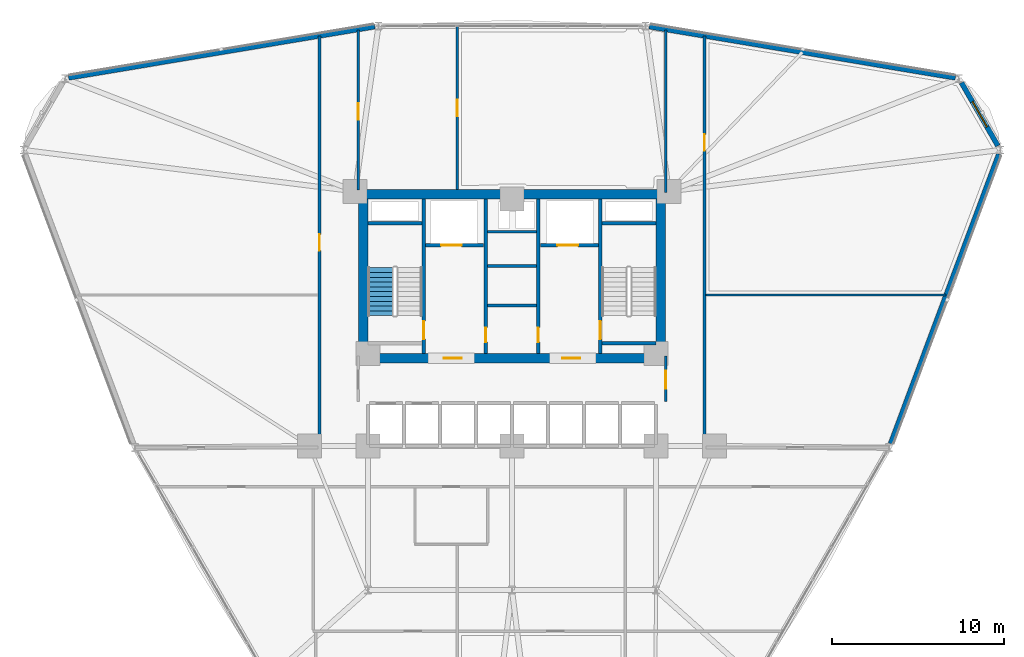
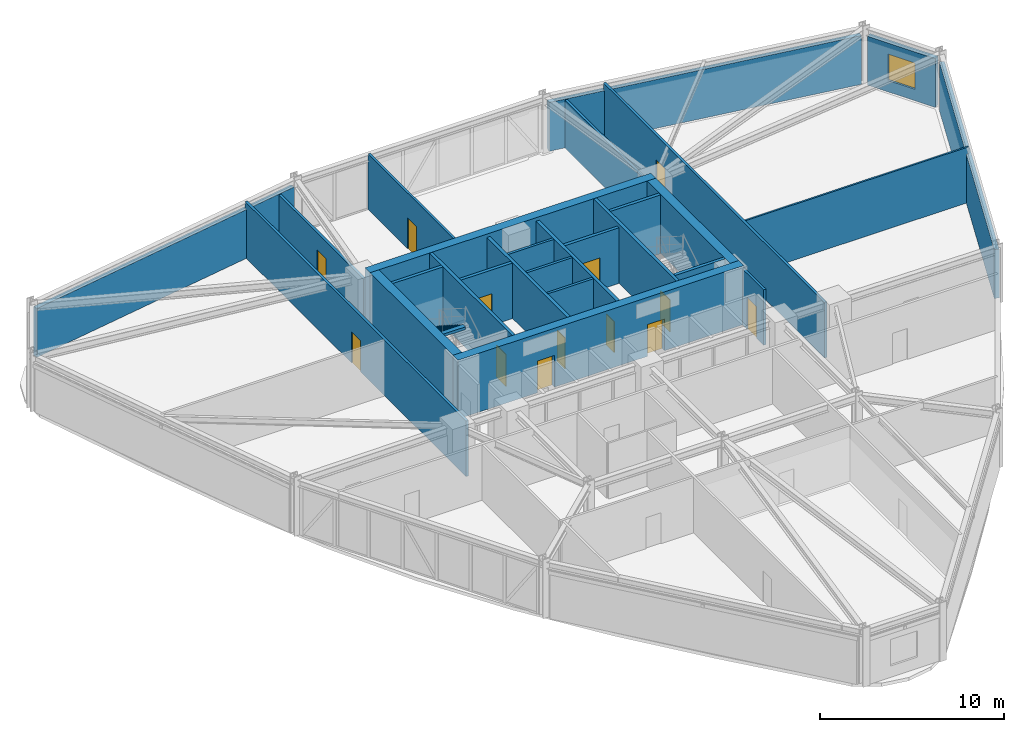
# One storey, part 17 of 22: 27 walls, 13 doors, 1 stair flight, 1 window, 14 openings, 1 element without a shape of its own.
"""IFC4 building model written with IfcOpenShell, lengths in metres."""

from ifc_helpers import new_model, si_unit, derived_unit, direction, frame, frame_2d, origin, place, context, subcontext, project, spatial, polyline, rectangle, outline, extrude, material, layer, layer_set, type_object, element, fill, aggregate, save


model = new_model("IFC4")

# Units and contexts
model_context = context("Model", 3, precision=1e-05, world=origin(), true_north=direction((0.0, 1.0)))
body_context = subcontext(model_context, "Body", "Model", "MODEL_VIEW")
ifc_project = project(units=[si_unit("LENGTHUNIT", "METRE"), si_unit("AREAUNIT", "SQUARE_METRE"), si_unit("VOLUMEUNIT", "CUBIC_METRE"), si_unit("PLANEANGLEUNIT", "RADIAN"), si_unit("MASSUNIT", "GRAM", prefix="KILO"), derived_unit("THERMALTRANSMITTANCEUNIT", [(si_unit("POWERUNIT", "WATT"), 1), (si_unit("LENGTHUNIT", "METRE"), -2), (si_unit("THERMODYNAMICTEMPERATUREUNIT", "KELVIN"), -1)])], contexts=[model_context])

# Site, building, storey
site_placement = place(None, origin())
site = spatial("IfcSite", under=ifc_project, at=site_placement, CompositionType="ELEMENT")
building_placement = place(site_placement, origin())
building = spatial("IfcBuilding", under=site, at=building_placement, Name="Korsvarv Bourse and Concert Hall", CompositionType="ELEMENT")
storey_placement = place(building_placement, frame((0.0, 0.0, 51.300048828125)))
storey = spatial("IfcBuildingStorey", under=building, at=storey_placement, Name="L12", CompositionType="ELEMENT", Elevation=51.300048828125)

# Wall, opening, door
ifc_material_1 = material(Name="Concrete C50/60", Category="concrete")
ifc_layer_1 = layer(ifc_material_1, 0.3798828125)
ifc_layer_set_1 = layer_set([ifc_layer_1], Name="Concrete C50/60")
wall_type_1 = type_object("IfcWallType", Name="WL-CORE-380", PredefinedType="SHEAR", material=ifc_layer_set_1)
wall_1_placement = place(storey_placement, frame((30.860107421875, 37.81005859375, 0.0), z_axis=(0.0, 0.0, 1.0), x_axis=(0.0, 1.0, 0.0)))
wall_1 = element("IfcWall", 1, at=wall_1_placement, inside=storey, type_object=wall_type_1, Name="L12 stair shaft structural wall W-L12-ST1-E", PredefinedType="SHEAR", context=body_context, shape_type="SweptSolid", body=[
    extrude(rectangle(XDim=8.97998046875, YDim=0.199951171875, at=frame_2d((4.489990234375, 0.0))), origin(), (0.0, 0.0, 1.0), 3.89990234375),
])
opening_1_placement = place(wall_1_placement, frame((0.820068359375, 0.0, 0.0)))
opening_1 = element("IfcOpeningElement", 2, at=opening_1_placement, cuts=wall_1, Name="Opening D-01", PredefinedType="OPENING", context=body_context, shape_type="SweptSolid", body=[
    extrude(rectangle(XDim=1.050048828125, YDim=2.10009765625, at=frame_2d((0.52490234375, 1.050048828125))), frame((0.0, 0.10986328125, 0.0), z_axis=(0.0, -1.0, 0.0), x_axis=(1.0, 0.0, 0.0)), (0.0, 0.0, 1.0), 0.219970703125),
])
ifc_material_2 = material(Name="Steel S355 fire door", Category="steel")
door_type_1 = type_object("IfcDoorType", Name="DR-FD60", OperationType="NOTDEFINED", PredefinedType="DOOR", material=ifc_material_2)
door_1_placement = place(opening_1_placement, origin())
door_1 = element("IfcDoor", 3, at=door_1_placement, inside=storey, type_object=door_type_1, Name="L12 interior door DR-L12-ST1", OperationType="SINGLE_SWING_RIGHT", OverallHeight=2.10009765625, OverallWidth=1.050048828125, PredefinedType="DOOR", context=body_context, shape_type="SweptSolid", body=[
    extrude(rectangle(XDim=1.050048828125, YDim=2.10009765625, at=frame_2d((0.52490234375, 1.050048828125))), frame((0.0, 0.02490234375, 0.0), z_axis=(0.0, -1.0, 0.0), x_axis=(1.0, 0.0, 0.0)), (0.0, 0.0, 1.0), 0.050048828125),
])
fill(opening_1, door_1)

# Wall
wall_2_placement = place(storey_placement, frame((27.610107421875, 45.39990234375, 0.0), z_axis=(0.0, 0.0, 1.0), x_axis=(1.0, 0.0, 0.0)))
element("IfcWall", 4, at=wall_2_placement, inside=storey, type_object=wall_type_1, Name="L12 stair shaft structural wall W-L12-ST1-N", PredefinedType="SHEAR", context=body_context, shape_type="SweptSolid", body=[
    extrude(rectangle(XDim=3.139892578125, YDim=0.199951171875, at=frame_2d((1.56982421875, 0.0))), origin(), (0.0, 0.0, 1.0), 3.89990234375),
])

# Wall, opening, door
wall_3_placement = place(storey_placement, frame((41.139892578125, 37.81005859375, 0.0), z_axis=(0.0, 0.0, 1.0), x_axis=(0.0, 1.0, 0.0)))
wall_3 = element("IfcWall", 5, at=wall_3_placement, inside=storey, type_object=wall_type_1, Name="L12 stair shaft structural wall W-L12-ST2-W", PredefinedType="SHEAR", context=body_context, shape_type="SweptSolid", body=[
    extrude(rectangle(XDim=8.97998046875, YDim=0.199951171875, at=frame_2d((4.489990234375, 0.0))), origin(), (0.0, 0.0, 1.0), 3.89990234375),
])
opening_2_placement = place(wall_3_placement, frame((0.820068359375, 0.0, 0.0)))
opening_2 = element("IfcOpeningElement", 6, at=opening_2_placement, cuts=wall_3, Name="Opening D-01", PredefinedType="OPENING", context=body_context, shape_type="SweptSolid", body=[
    extrude(rectangle(XDim=1.050048828125, YDim=2.10009765625, at=frame_2d((0.52490234375, 1.050048828125))), frame((0.0, 0.10986328125, 0.0), z_axis=(0.0, -1.0, 0.0), x_axis=(1.0, 0.0, 0.0)), (0.0, 0.0, 1.0), 0.219970703125),
])
door_2_placement = place(opening_2_placement, frame((1.050048828125, 0.0, 0.0), z_axis=(0.0, 0.0, 1.0), x_axis=(-1.0, 0.0, 0.0)))
door_2 = element("IfcDoor", 7, at=door_2_placement, inside=storey, type_object=door_type_1, Name="L12 interior door DR-L12-ST2", OperationType="SINGLE_SWING_LEFT", OverallHeight=2.10009765625, OverallWidth=1.050048828125, PredefinedType="DOOR", context=body_context, shape_type="SweptSolid", body=[
    extrude(rectangle(XDim=1.050048828125, YDim=2.10009765625, at=frame_2d((0.52490234375, 1.050048828125))), frame((0.0, 0.02490234375, 0.0), z_axis=(0.0, -1.0, 0.0), x_axis=(1.0, 0.0, 0.0)), (0.0, 0.0, 1.0), 0.050048828125),
])
fill(opening_2, door_2)

# Walls
for number, where, z_axis, x_axis, name in (
    (8, (41.25, 45.39990234375, 0.0), (0.0, 0.0, 1.0), (1.0, 0.0, 0.0), "L12 stair shaft structural wall W-L12-ST2-N"),
    (9, (41.25, 38.39990234375, 0.0), (0.0, 0.0, 1.0), (1.0, 0.0, 0.0), "L12 stair shaft structural wall W-L12-ST2-S"),
):
    element("IfcWall", number, at=place(storey_placement, frame(where, z_axis=z_axis, x_axis=x_axis)), inside=storey, type_object=wall_type_1, Name=name, PredefinedType="SHEAR", context=body_context, shape_type="SweptSolid", body=[
        extrude(rectangle(XDim=3.139892578125, YDim=0.199951171875, at=frame_2d((1.56982421875, 0.0))), origin(), (0.0, 0.0, 1.0), 3.89990234375),
    ])
ifc_material_3 = material(Name="Concrete C60/75", Category="concrete")
ifc_layer_2 = layer(ifc_material_3, 0.550048828125)
ifc_layer_set_2 = layer_set([ifc_layer_2], Name="Concrete C60/75")
wall_type_2 = type_object("IfcWallType", Name="WL-CORE-550", PredefinedType="SHEAR", material=ifc_layer_set_2)
wall_4_placement = place(storey_placement, frame((27.050048828125, 47.074951171875, 0.0), z_axis=(0.0, 0.0, 1.0), x_axis=(1.0, 0.0, 0.0)))
element("IfcWall", 10, at=wall_4_placement, inside=storey, type_object=wall_type_2, Name="L12 North Core Shear Wall", PredefinedType="SHEAR", context=body_context, shape_type="SweptSolid", body=[
    extrude(rectangle(XDim=17.89990234375, YDim=0.550048828125, at=frame_2d((8.949951171875, 0.0))), origin(), (0.0, 0.0, 1.0), 3.89990234375),
])

# Wall, openings, doors
wall_5_placement = place(storey_placement, frame((27.050048828125, 37.52490234375, 0.0), z_axis=(0.0, 0.0, 1.0), x_axis=(1.0, 0.0, 0.0)))
wall_5 = element("IfcWall", 11, at=wall_5_placement, inside=storey, type_object=wall_type_2, Name="L12 South Core Shear Wall", PredefinedType="SHEAR", context=body_context, shape_type="SweptSolid", body=[
    extrude(rectangle(XDim=17.89990234375, YDim=0.550048828125, at=frame_2d((8.949951171875, 0.0))), origin(), (0.0, 0.0, 1.0), 3.89990234375),
])
opening_3_placement = place(wall_5_placement, frame((4.97509765625, 0.0, 0.0)))
opening_3 = element("IfcOpeningElement", 12, at=opening_3_placement, cuts=wall_5, Name="Opening D-01", PredefinedType="OPENING", context=body_context, shape_type="SweptSolid", body=[
    extrude(rectangle(XDim=1.050048828125, YDim=2.10009765625, at=frame_2d((0.52490234375, 1.050048828125))), frame((0.0, 0.28515625, 0.0), z_axis=(0.0, -1.0, 0.0), x_axis=(1.0, 0.0, 0.0)), (0.0, 0.0, 1.0), 0.570068359375),
])
opening_4_placement = place(wall_5_placement, frame((11.875, 0.0, 0.0)))
opening_4 = element("IfcOpeningElement", 13, at=opening_4_placement, cuts=wall_5, Name="Opening D-01", PredefinedType="OPENING", context=body_context, shape_type="SweptSolid", body=[
    extrude(rectangle(XDim=1.050048828125, YDim=2.10009765625, at=frame_2d((0.52490234375, 1.050048828125))), frame((0.0, 0.28515625, 0.0), z_axis=(0.0, -1.0, 0.0), x_axis=(1.0, 0.0, 0.0)), (0.0, 0.0, 1.0), 0.570068359375),
])
door_3_placement = place(opening_3_placement, frame((1.050048828125, 0.0, 0.0), z_axis=(0.0, 0.0, 1.0), x_axis=(-1.0, 0.0, 0.0)))
door_3 = element("IfcDoor", 14, at=door_3_placement, inside=storey, type_object=door_type_1, Name="L12 firefighting lobby fire door DR-L12-FFLW", OperationType="SINGLE_SWING_RIGHT", OverallHeight=2.10009765625, OverallWidth=1.050048828125, PredefinedType="DOOR", context=body_context, shape_type="SweptSolid", body=[
    extrude(rectangle(XDim=1.050048828125, YDim=2.10009765625, at=frame_2d((0.52490234375, 1.050048828125))), frame((0.0, 0.02490234375, 0.0), z_axis=(0.0, -1.0, 0.0), x_axis=(1.0, 0.0, 0.0)), (0.0, 0.0, 1.0), 0.050048828125),
])
fill(opening_3, door_3)
door_4_placement = place(opening_4_placement, frame((1.050048828125, 0.0, 0.0), z_axis=(0.0, 0.0, 1.0), x_axis=(-1.0, 0.0, 0.0)))
door_4 = element("IfcDoor", 15, at=door_4_placement, inside=storey, type_object=door_type_1, Name="L12 firefighting lobby fire door DR-L12-FFLE", OperationType="SINGLE_SWING_LEFT", OverallHeight=2.10009765625, OverallWidth=1.050048828125, PredefinedType="DOOR", context=body_context, shape_type="SweptSolid", body=[
    extrude(rectangle(XDim=1.050048828125, YDim=2.10009765625, at=frame_2d((0.52490234375, 1.050048828125))), frame((0.0, 0.02490234375, 0.0), z_axis=(0.0, -1.0, 0.0), x_axis=(1.0, 0.0, 0.0)), (0.0, 0.0, 1.0), 0.050048828125),
])
fill(opening_4, door_4)

# Walls
for number, where, z_axis, x_axis, name in (
    (16, (27.324951171875, 37.800048828125, 0.0), (0.0, 0.0, 1.0), (0.0, 1.0, 0.0), "L12 West Core Shear Wall"),
    (17, (44.675048828125, 37.800048828125, 0.0), (0.0, 0.0, 1.0), (0.0, 1.0, 0.0), "L12 East Core Shear Wall"),
):
    element("IfcWall", number, at=place(storey_placement, frame(where, z_axis=z_axis, x_axis=x_axis)), inside=storey, type_object=wall_type_2, Name=name, PredefinedType="SHEAR", context=body_context, shape_type="SweptSolid", body=[
        extrude(rectangle(XDim=9.0, YDim=0.550048828125, at=frame_2d((4.5, 0.0))), origin(), (0.0, 0.0, 1.0), 3.89990234375),
    ])

# Wall, opening, window
ifc_material_4 = material(Name="Precast concrete C45/55 with terracotta rainscreen", Category="concrete")
ifc_layer_3 = layer(ifc_material_4, 0.300048828125)
ifc_layer_set_3 = layer_set([ifc_layer_3], Name="Precast concrete C45/55 with terracotta rainscreen")
wall_type_3 = type_object("IfcWallType", Name="WL-EXT-TC1", PredefinedType="SOLIDWALL", material=ifc_layer_set_3)
wall_6_placement = place(storey_placement, frame((64.3349609375, 49.904296875, 0.0), z_axis=(0.0, 0.0, 1.0), x_axis=(-0.500017365573, 0.866015377534, 0.0)))
wall_6 = element("IfcWall", 18, at=wall_6_placement, inside=storey, type_object=wall_type_3, Name="L12 terracotta exterior wall EW-L12-B01", PredefinedType="SOLIDWALL", context=body_context, shape_type="SweptSolid", body=[
    extrude(rectangle(XDim=4.251708984375, YDim=0.300048828125, at=frame_2d((2.1259765625, 0.0))), origin(), (0.0, 0.0, 1.0), 3.22998046875),
])
opening_5_placement = place(wall_6_placement, frame((1.27587890625, 0.0, 0.75)))
opening_5 = element("IfcOpeningElement", 19, at=opening_5_placement, cuts=wall_6, Name="Opening W-01", PredefinedType="OPENING", context=body_context, shape_type="SweptSolid", body=[
    extrude(rectangle(XDim=1.699951171875, YDim=1.75, at=frame_2d((0.85009765625, 0.875))), frame((0.0, 0.16015625, 0.0), z_axis=(0.0, -1.0, 0.0), x_axis=(1.0, 0.0, 0.0)), (0.0, 0.0, 1.0), 0.320068359375),
])
ifc_material_5 = material(Name="Thermally broken aluminium frame with triple low-E glass", Category="glass")
window_type = type_object("IfcWindowType", Name="WIN-TW1", PartitioningType="SINGLE_PANEL", PredefinedType="WINDOW", material=ifc_material_5)
window_placement = place(opening_5_placement, origin())
window = element("IfcWindow", 20, at=window_placement, inside=storey, type_object=window_type, Name="L12 punched facade window W-01", OverallHeight=1.75, OverallWidth=1.699951171875, PartitioningType="SINGLE_PANEL", PredefinedType="WINDOW", context=body_context, shape_type="SweptSolid", body=[
    extrude(rectangle(XDim=1.699951171875, YDim=1.75, at=frame_2d((0.85009765625, 0.875))), frame((0.0, 0.030029296875, 0.0), z_axis=(0.0, -1.0, 0.0), x_axis=(1.0, 0.0, 0.0)), (0.0, 0.0, 1.0), 0.06005859375),
])
fill(opening_5, window)

# Walls
ifc_material_6 = material(Name="Precast concrete C45/55 with fluted terracotta pier", Category="concrete")
ifc_layer_4 = layer(ifc_material_6, 0.280029296875)
ifc_layer_set_4 = layer_set([ifc_layer_4], Name="Precast concrete C45/55 with fluted terracotta pier")
wall_type_4 = type_object("IfcWallType", Name="WL-EXT-TC2", PredefinedType="SOLIDWALL", material=ifc_layer_set_4)
for number, where, z_axis, x_axis, name in (
    (21, (61.852294921875, 53.86474609375, 0.0), (0.0, 0.0, 1.0), (-0.986273350987, 0.165120795577, 0.0), "L12 terracotta exterior wall EW-L12-B02"),
    (22, (27.998291015625, 56.853271484375, 0.0), (0.0, 0.0, 1.0), (-0.986273350987, -0.165120795577, 0.0), "L12 terracotta exterior wall EW-L12-B04"),
):
    element("IfcWall", number, at=place(storey_placement, frame(where, z_axis=z_axis, x_axis=x_axis)), inside=storey, type_object=wall_type_4, Name=name, PredefinedType="SOLIDWALL", context=body_context, shape_type="SweptSolid", body=[
        extrude(rectangle(XDim=18.09912109375, YDim=0.280029296875, at=frame_2d((9.049560546875, 0.0))), origin(), (0.0, 0.0, 1.0), 3.22998046875),
    ])
wall_7_placement = place(storey_placement, frame((58.07373046875, 32.5390625, 0.0), z_axis=(0.0, 0.0, 1.0), x_axis=(0.350140465982, 0.936697205121, 0.0)))
element("IfcWall", 23, at=wall_7_placement, inside=storey, type_object=wall_type_4, Name="L12 terracotta exterior wall EW-L12-B12", PredefinedType="SOLIDWALL", context=body_context, shape_type="SweptSolid", body=[
    extrude(rectangle(XDim=18.022216796875, YDim=0.280029296875, at=frame_2d((9.01123046875, 0.0))), origin(), (0.0, 0.0, 1.0), 3.22998046875),
])

# Wall, opening, door
ifc_material_7 = material(Name="Reinforced concrete blockwork C35/45 fire wall", Category="concrete")
ifc_layer_5 = layer(ifc_material_7, 0.199951171875)
ifc_layer_set_5 = layer_set([ifc_layer_5], Name="Reinforced concrete blockwork C35/45 fire wall")
wall_type_5 = type_object("IfcWallType", Name="WL-INT-EI120", PredefinedType="PARTITIONING", material=ifc_layer_set_5)
wall_8_placement = place(storey_placement, frame((30.969970703125, 44.10009765625, 0.0), z_axis=(0.0, 0.0, 1.0), x_axis=(1.0, 0.0, 0.0)))
wall_8 = element("IfcWall", 24, at=wall_8_placement, inside=storey, type_object=wall_type_5, Name="L12 interior partition wall W-L12-FF1-S", PredefinedType="PARTITIONING", context=body_context, shape_type="SweptSolid", body=[
    extrude(rectangle(XDim=3.380126953125, YDim=0.199951171875, at=frame_2d((1.68994140625, 0.0))), origin(), (0.0, 0.0, 1.0), 3.679931640625),
])
opening_6_placement = place(wall_8_placement, frame((0.89990234375, 0.0, 0.0)))
opening_6 = element("IfcOpeningElement", 25, at=opening_6_placement, cuts=wall_8, Name="Opening LD-1", PredefinedType="OPENING", context=body_context, shape_type="SweptSolid", body=[
    extrude(rectangle(XDim=1.199951171875, YDim=2.10009765625, at=frame_2d((0.60009765625, 1.050048828125))), frame((0.0, 0.10986328125, 0.0), z_axis=(0.0, -1.0, 0.0), x_axis=(1.0, 0.0, 0.0)), (0.0, 0.0, 1.0), 0.219970703125),
])
ifc_material_8 = material(Name="Stainless Steel S355 firefighting lift landing door", Category="steel")
door_type_2 = type_object("IfcDoorType", Name="DR-LIFT-FF", OperationType="DOUBLE_DOOR_SLIDING", PredefinedType="DOOR", material=ifc_material_8)
door_5_placement = place(opening_6_placement, origin())
door_5 = element("IfcDoor", 26, at=door_5_placement, inside=storey, type_object=door_type_2, Name="L12 lift sliding landing door LD-L12-FF1", OperationType="DOUBLE_DOOR_SLIDING", OverallHeight=2.10009765625, OverallWidth=1.199951171875, PredefinedType="DOOR", context=body_context, shape_type="SweptSolid", body=[
    extrude(rectangle(XDim=1.199951171875, YDim=2.10009765625, at=frame_2d((0.60009765625, 1.050048828125))), frame((0.0, 0.02490234375, 0.0), z_axis=(0.0, -1.0, 0.0), x_axis=(1.0, 0.0, 0.0)), (0.0, 0.0, 1.0), 0.050048828125),
])
fill(opening_6, door_5)

wall_9_placement = place(storey_placement, frame((37.64990234375, 44.10009765625, 0.0), z_axis=(0.0, 0.0, 1.0), x_axis=(1.0, 0.0, 0.0)))
wall_9 = element("IfcWall", 27, at=wall_9_placement, inside=storey, type_object=wall_type_5, Name="L12 interior partition wall W-L12-FF2-S", PredefinedType="PARTITIONING", context=body_context, shape_type="SweptSolid", body=[
    extrude(rectangle(XDim=3.380126953125, YDim=0.199951171875, at=frame_2d((1.68994140625, 0.0))), origin(), (0.0, 0.0, 1.0), 3.679931640625),
])
opening_7_placement = place(wall_9_placement, frame((1.0, 0.0, 0.0)))
opening_7 = element("IfcOpeningElement", 28, at=opening_7_placement, cuts=wall_9, Name="Opening LD-1", PredefinedType="OPENING", context=body_context, shape_type="SweptSolid", body=[
    extrude(rectangle(XDim=1.199951171875, YDim=2.10009765625, at=frame_2d((0.60009765625, 1.050048828125))), frame((0.0, 0.10986328125, 0.0), z_axis=(0.0, -1.0, 0.0), x_axis=(1.0, 0.0, 0.0)), (0.0, 0.0, 1.0), 0.219970703125),
])
door_6_placement = place(opening_7_placement, origin())
door_6 = element("IfcDoor", 29, at=door_6_placement, inside=storey, type_object=door_type_2, Name="L12 lift sliding landing door LD-L12-FF2", OperationType="DOUBLE_DOOR_SLIDING", OverallHeight=2.10009765625, OverallWidth=1.199951171875, PredefinedType="DOOR", context=body_context, shape_type="SweptSolid", body=[
    extrude(rectangle(XDim=1.199951171875, YDim=2.10009765625, at=frame_2d((0.60009765625, 1.050048828125))), frame((0.0, 0.02490234375, 0.0), z_axis=(0.0, -1.0, 0.0), x_axis=(1.0, 0.0, 0.0)), (0.0, 0.0, 1.0), 0.050048828125),
])
fill(opening_7, door_6)

wall_10_placement = place(storey_placement, frame((34.4599609375, 37.81005859375, 0.0), z_axis=(0.0, 0.0, 1.0), x_axis=(0.0, 1.0, 0.0)))
wall_10 = element("IfcWall", 30, at=wall_10_placement, inside=storey, type_object=wall_type_5, Name="L12 interior partition wall W-L12-CSB-W", PredefinedType="PARTITIONING", context=body_context, shape_type="SweptSolid", body=[
    extrude(rectangle(XDim=8.97998046875, YDim=0.199951171875, at=frame_2d((4.489990234375, 0.0))), origin(), (0.0, 0.0, 1.0), 3.679931640625),
])
opening_8_placement = place(wall_10_placement, frame((0.64990234375, 0.0, 0.0)))
opening_8 = element("IfcOpeningElement", 31, at=opening_8_placement, cuts=wall_10, Name="Opening D-05", PredefinedType="OPENING", context=body_context, shape_type="SweptSolid", body=[
    extrude(rectangle(XDim=0.85009765625, YDim=2.050048828125, at=frame_2d((0.425048828125, 1.02490234375))), frame((0.0, 0.10986328125, 0.0), z_axis=(0.0, -1.0, 0.0), x_axis=(1.0, 0.0, 0.0)), (0.0, 0.0, 1.0), 0.219970703125),
])
door_type_3 = type_object("IfcDoorType", Name="DR-FD60-850X2050", OperationType="NOTDEFINED", PredefinedType="DOOR", material=ifc_material_2)
door_7_placement = place(opening_8_placement, frame((0.85009765625, 0.0, 0.0), z_axis=(0.0, 0.0, 1.0), x_axis=(-1.0, 0.0, 0.0)))
door_7 = element("IfcDoor", 32, at=door_7_placement, inside=storey, type_object=door_type_3, Name="L12 interior door DR-L12-CSB1", OperationType="SINGLE_SWING_RIGHT", OverallHeight=2.050048828125, OverallWidth=0.85009765625, PredefinedType="DOOR", context=body_context, shape_type="SweptSolid", body=[
    extrude(rectangle(XDim=0.85009765625, YDim=2.050048828125, at=frame_2d((0.425048828125, 1.02490234375))), frame((0.0, 0.02490234375, 0.0), z_axis=(0.0, -1.0, 0.0), x_axis=(1.0, 0.0, 0.0)), (0.0, 0.0, 1.0), 0.050048828125),
])
fill(opening_8, door_7)

wall_11_placement = place(storey_placement, frame((37.5400390625, 37.81005859375, 0.0), z_axis=(0.0, 0.0, 1.0), x_axis=(0.0, 1.0, 0.0)))
wall_11 = element("IfcWall", 33, at=wall_11_placement, inside=storey, type_object=wall_type_5, Name="L12 interior partition wall W-L12-CSB-E", PredefinedType="PARTITIONING", context=body_context, shape_type="SweptSolid", body=[
    extrude(rectangle(XDim=8.97998046875, YDim=0.199951171875, at=frame_2d((4.489990234375, 0.0))), origin(), (0.0, 0.0, 1.0), 3.679931640625),
])
opening_9_placement = place(wall_11_placement, frame((0.64990234375, 0.0, 0.0)))
opening_9 = element("IfcOpeningElement", 34, at=opening_9_placement, cuts=wall_11, Name="Opening D-05", PredefinedType="OPENING", context=body_context, shape_type="SweptSolid", body=[
    extrude(rectangle(XDim=0.85009765625, YDim=2.050048828125, at=frame_2d((0.425048828125, 1.02490234375))), frame((0.0, 0.10986328125, 0.0), z_axis=(0.0, -1.0, 0.0), x_axis=(1.0, 0.0, 0.0)), (0.0, 0.0, 1.0), 0.219970703125),
])
door_8_placement = place(opening_9_placement, origin())
door_8 = element("IfcDoor", 35, at=door_8_placement, inside=storey, type_object=door_type_3, Name="L12 interior door DR-L12-CSB2", OperationType="SINGLE_SWING_LEFT", OverallHeight=2.050048828125, OverallWidth=0.85009765625, PredefinedType="DOOR", context=body_context, shape_type="SweptSolid", body=[
    extrude(rectangle(XDim=0.85009765625, YDim=2.050048828125, at=frame_2d((0.425048828125, 1.02490234375))), frame((0.0, 0.02490234375, 0.0), z_axis=(0.0, -1.0, 0.0), x_axis=(1.0, 0.0, 0.0)), (0.0, 0.0, 1.0), 0.050048828125),
])
fill(opening_9, door_8)

# Walls
ifc_material_9 = material(Name="Double-stud fire-rated acoustic partition", Category="gypsum")
ifc_layer_6 = layer(ifc_material_9, 0.159912109375)
ifc_layer_set_6 = layer_set([ifc_layer_6], Name="Double-stud fire-rated acoustic partition")
wall_type_6 = type_object("IfcWallType", Name="WL-INT-EI60", PredefinedType="PARTITIONING", material=ifc_layer_set_6)
for number, where, z_axis, x_axis, name in (
    (36, (34.570068359375, 40.60009765625, 0.0), (0.0, 0.0, 1.0), (1.0, 0.0, 0.0), "L12 interior partition wall W-L12-K1"),
    (37, (34.570068359375, 42.89990234375, 0.0), (0.0, 0.0, 1.0), (1.0, 0.0, 0.0), "L12 interior partition wall W-L12-K2"),
    (38, (34.570068359375, 44.89990234375, 0.0), (0.0, 0.0, 1.0), (1.0, 0.0, 0.0), "L12 interior partition wall W-L12-K3"),
):
    element("IfcWall", number, at=place(storey_placement, frame(where, z_axis=z_axis, x_axis=x_axis)), inside=storey, type_object=wall_type_6, Name=name, PredefinedType="PARTITIONING", context=body_context, shape_type="SweptSolid", body=[
        extrude(rectangle(XDim=2.85986328125, YDim=0.159912109375, at=frame_2d((1.429931640625, 0.0))), origin(), (0.0, 0.0, 1.0), 3.679931640625),
    ])

# Wall, opening, door
wall_12_placement = place(storey_placement, frame((44.9599609375, 35.0, 0.0), z_axis=(0.0, 0.0, 1.0), x_axis=(0.0, 1.0, 0.0)))
wall_12 = element("IfcWall", 39, at=wall_12_placement, inside=storey, type_object=wall_type_6, Name="L12 interior partition wall W-L12-LOB-E", PredefinedType="PARTITIONING", context=body_context, shape_type="SweptSolid", body=[
    extrude(rectangle(XDim=2.64990234375, YDim=0.159912109375, at=frame_2d((1.324951171875, 0.0))), origin(), (0.0, 0.0, 1.0), 3.679931640625),
])
opening_10_placement = place(wall_12_placement, frame((0.75, 0.0, 0.0)))
opening_10 = element("IfcOpeningElement", 40, at=opening_10_placement, cuts=wall_12, Name="Opening D-01", PredefinedType="OPENING", context=body_context, shape_type="SweptSolid", body=[
    extrude(rectangle(XDim=1.050048828125, YDim=2.10009765625, at=frame_2d((0.52490234375, 1.050048828125))), frame((0.0, 0.08984375, 0.0), z_axis=(0.0, -1.0, 0.0), x_axis=(1.0, 0.0, 0.0)), (0.0, 0.0, 1.0), 0.179931640625),
])
door_9_placement = place(opening_10_placement, origin())
door_9 = element("IfcDoor", 41, at=door_9_placement, inside=storey, type_object=door_type_1, Name="L12 interior door DR-L12-LOBE", OperationType="SINGLE_SWING_LEFT", OverallHeight=2.10009765625, OverallWidth=1.050048828125, PredefinedType="DOOR", context=body_context, shape_type="SweptSolid", body=[
    extrude(rectangle(XDim=1.050048828125, YDim=2.10009765625, at=frame_2d((0.52490234375, 1.050048828125))), frame((0.0, 0.02490234375, 0.0), z_axis=(0.0, -1.0, 0.0), x_axis=(1.0, 0.0, 0.0)), (0.0, 0.0, 1.0), 0.050048828125),
])
fill(opening_10, door_9)

wall_13_placement = place(storey_placement, frame((47.22509765625, 32.31005859375, 0.0), z_axis=(0.0, 0.0, 1.0), x_axis=(0.0, 1.0, 0.0)))
wall_13 = element("IfcWall", 42, at=wall_13_placement, inside=storey, type_object=wall_type_6, Name="L12 interior partition wall W-L12-TCOR-02", PredefinedType="PARTITIONING", context=body_context, shape_type="SweptSolid", body=[
    extrude(rectangle(XDim=23.983642578125, YDim=0.159912109375, at=frame_2d((11.99169921875, 0.0))), origin(), (0.0, 0.0, 1.0), 3.679931640625),
])
opening_11_placement = place(wall_13_placement, frame((17.311279296875, 0.0, 0.0)))
opening_11 = element("IfcOpeningElement", 43, at=opening_11_placement, cuts=wall_13, Name="Opening D-02", PredefinedType="OPENING", context=body_context, shape_type="SweptSolid", body=[
    extrude(rectangle(XDim=0.949951171875, YDim=2.050048828125, at=frame_2d((0.47509765625, 1.02490234375))), frame((0.0, 0.08984375, 0.0), z_axis=(0.0, -1.0, 0.0), x_axis=(1.0, 0.0, 0.0)), (0.0, 0.0, 1.0), 0.179931640625),
])
ifc_material_10 = material(Name="Timber and steel acoustic fire door", Category="wood")
door_type_4 = type_object("IfcDoorType", Name="DR-FD30", OperationType="NOTDEFINED", PredefinedType="DOOR", material=ifc_material_10)
door_10_placement = place(opening_11_placement, origin())
door_10 = element("IfcDoor", 44, at=door_10_placement, inside=storey, type_object=door_type_4, Name="L12 interior door DR-L12-TCOR-MF102", OperationType="SINGLE_SWING_LEFT", OverallHeight=2.050048828125, OverallWidth=0.949951171875, PredefinedType="DOOR", context=body_context, shape_type="SweptSolid", body=[
    extrude(rectangle(XDim=0.949951171875, YDim=2.050048828125, at=frame_2d((0.47509765625, 1.02490234375))), frame((0.0, 0.02490234375, 0.0), z_axis=(0.0, -1.0, 0.0), x_axis=(1.0, 0.0, 0.0)), (0.0, 0.0, 1.0), 0.050048828125),
])
fill(opening_11, door_10)

wall_14_placement = place(storey_placement, frame((24.77490234375, 32.31005859375, 0.0), z_axis=(0.0, 0.0, 1.0), x_axis=(0.0, 1.0, 0.0)))
wall_14 = element("IfcWall", 45, at=wall_14_placement, inside=storey, type_object=wall_type_6, Name="L12 interior partition wall W-L12-TCOR-03", PredefinedType="PARTITIONING", context=body_context, shape_type="SweptSolid", body=[
    extrude(rectangle(XDim=23.983642578125, YDim=0.159912109375, at=frame_2d((11.99169921875, 0.0))), origin(), (0.0, 0.0, 1.0), 3.679931640625),
])
opening_12_placement = place(wall_14_placement, frame((11.47705078125, 0.0, 0.0)))
opening_12 = element("IfcOpeningElement", 46, at=opening_12_placement, cuts=wall_14, Name="Opening D-02", PredefinedType="OPENING", context=body_context, shape_type="SweptSolid", body=[
    extrude(rectangle(XDim=0.949951171875, YDim=2.050048828125, at=frame_2d((0.47509765625, 1.02490234375))), frame((0.0, 0.08984375, 0.0), z_axis=(0.0, -1.0, 0.0), x_axis=(1.0, 0.0, 0.0)), (0.0, 0.0, 1.0), 0.179931640625),
])
door_11_placement = place(opening_12_placement, origin())
door_11 = element("IfcDoor", 47, at=door_11_placement, inside=storey, type_object=door_type_4, Name="L12 interior door DR-L12-TCOR-MF813", OperationType="SINGLE_SWING_RIGHT", OverallHeight=2.050048828125, OverallWidth=0.949951171875, PredefinedType="DOOR", context=body_context, shape_type="SweptSolid", body=[
    extrude(rectangle(XDim=0.949951171875, YDim=2.050048828125, at=frame_2d((0.47509765625, 1.02490234375))), frame((0.0, 0.02490234375, 0.0), z_axis=(0.0, -1.0, 0.0), x_axis=(1.0, 0.0, 0.0)), (0.0, 0.0, 1.0), 0.050048828125),
])
fill(opening_12, door_11)

# Wall
wall_15_placement = place(storey_placement, frame((44.965087890625, 47.179931640625, 0.0), z_axis=(0.0, 0.0, 1.0), x_axis=(0.0, 1.0, 0.0)))
element("IfcWall", 48, at=wall_15_placement, inside=storey, type_object=wall_type_6, Name="L12 interior partition wall W-L12-TCOR-06", PredefinedType="PARTITIONING", context=body_context, shape_type="SweptSolid", body=[
    extrude(rectangle(XDim=9.491943359375, YDim=0.159912109375, at=frame_2d((4.74609375, 0.0))), origin(), (0.0, 0.0, 1.0), 3.179931640625),
])

# Wall, opening, door
wall_16_placement = place(storey_placement, frame((27.034912109375, 47.340087890625, 0.0), z_axis=(0.0, 0.0, 1.0), x_axis=(0.0, 1.0, 0.0)))
wall_16 = element("IfcWall", 49, at=wall_16_placement, inside=storey, type_object=wall_type_6, Name="L12 interior partition wall W-L12-TCOR-07", PredefinedType="PARTITIONING", context=body_context, shape_type="SweptSolid", body=[
    extrude(rectangle(XDim=9.331787109375, YDim=0.159912109375, at=frame_2d((4.666015625, 0.0))), origin(), (0.0, 0.0, 1.0), 3.179931640625),
])
opening_13_placement = place(wall_16_placement, frame((4.086181640625, 0.0, 0.0)))
opening_13 = element("IfcOpeningElement", 50, at=opening_13_placement, cuts=wall_16, Name="Opening D-02", PredefinedType="OPENING", context=body_context, shape_type="SweptSolid", body=[
    extrude(rectangle(XDim=0.949951171875, YDim=2.050048828125, at=frame_2d((0.47509765625, 1.02490234375))), frame((0.0, 0.08984375, 0.0), z_axis=(0.0, -1.0, 0.0), x_axis=(1.0, 0.0, 0.0)), (0.0, 0.0, 1.0), 0.179931640625),
])
door_12_placement = place(opening_13_placement, origin())
door_12 = element("IfcDoor", 51, at=door_12_placement, inside=storey, type_object=door_type_4, Name="L12 interior door DR-L12-TCOR-RM1010", OperationType="SINGLE_SWING_LEFT", OverallHeight=2.050048828125, OverallWidth=0.949951171875, PredefinedType="DOOR", context=body_context, shape_type="SweptSolid", body=[
    extrude(rectangle(XDim=0.949951171875, YDim=2.050048828125, at=frame_2d((0.47509765625, 1.02490234375))), frame((0.0, 0.02490234375, 0.0), z_axis=(0.0, -1.0, 0.0), x_axis=(1.0, 0.0, 0.0)), (0.0, 0.0, 1.0), 0.050048828125),
])
fill(opening_13, door_12)

# Wall
ifc_material_11 = material(Name="Demountable acoustic glass and aluminium dealing partition", Category="aluminium")
ifc_layer_7 = layer(ifc_material_11, 0.110107421875)
ifc_layer_set_7 = layer_set([ifc_layer_7], Name="Demountable acoustic glass and aluminium dealing partition")
wall_type_7 = type_object("IfcWallType", Name="WL-INT-MOV", PredefinedType="MOVABLE", material=ifc_layer_set_7)
wall_17_placement = place(storey_placement, frame((47.306884765625, 41.205078125, 0.0), z_axis=(0.0, 0.0, 1.0), x_axis=(1.0, 0.0, 0.0)))
element("IfcWall", 52, at=wall_17_placement, inside=storey, type_object=wall_type_7, Name="L12 interior partition wall W-L12-TCOR-11", PredefinedType="MOVABLE", context=body_context, shape_type="SweptSolid", body=[
    extrude(rectangle(XDim=13.986328125, YDim=0.110107421875, at=frame_2d((6.9931640625, 0.0))), origin(), (0.0, 0.0, 1.0), 3.679931640625),
])

# Wall, opening, door
ifc_material_12 = material(Name="Insulated steel-stud office acoustic partition", Category="gypsum")
ifc_layer_8 = layer(ifc_material_12, 0.139892578125)
ifc_layer_set_8 = layer_set([ifc_layer_8], Name="Insulated steel-stud office acoustic partition")
wall_type_8 = type_object("IfcWallType", Name="WL-INT-P1", PredefinedType="PARTITIONING", material=ifc_layer_set_8)
wall_18_placement = place(storey_placement, frame((32.804931640625, 47.35205078125, 0.0), z_axis=(0.0, 0.0, 1.0), x_axis=(0.0, 1.0, 0.0)))
wall_18 = element("IfcWall", 53, at=wall_18_placement, inside=storey, type_object=wall_type_8, Name="L12 interior partition wall W-L12-TCOR-13", PredefinedType="PARTITIONING", context=body_context, shape_type="SweptSolid", body=[
    extrude(rectangle(XDim=9.517333984375, YDim=0.139892578125, at=frame_2d((4.7587890625, 0.0))), origin(), (0.0, 0.0, 1.0), 3.679931640625),
])
opening_14_placement = place(wall_18_placement, frame((4.28369140625, 0.0, 0.0)))
opening_14 = element("IfcOpeningElement", 54, at=opening_14_placement, cuts=wall_18, Name="Opening D-03", PredefinedType="OPENING", context=body_context, shape_type="SweptSolid", body=[
    extrude(rectangle(XDim=0.949951171875, YDim=2.050048828125, at=frame_2d((0.47509765625, 1.02490234375))), frame((0.0, 0.080078125, 0.0), z_axis=(0.0, -1.0, 0.0), x_axis=(1.0, 0.0, 0.0)), (0.0, 0.0, 1.0), 0.159912109375),
])
ifc_material_13 = material(Name="Nordic oak acoustic office door", Category="wood")
door_type_5 = type_object("IfcDoorType", Name="DR-INT-1", OperationType="NOTDEFINED", PredefinedType="DOOR", material=ifc_material_13)
door_13_placement = place(opening_14_placement, origin())
door_13 = element("IfcDoor", 55, at=door_13_placement, inside=storey, type_object=door_type_5, Name="L12 interior door DR-L12-TCOR-RM1111", OperationType="SINGLE_SWING_RIGHT", OverallHeight=2.050048828125, OverallWidth=0.949951171875, PredefinedType="DOOR", context=body_context, shape_type="SweptSolid", body=[
    extrude(rectangle(XDim=0.949951171875, YDim=2.050048828125, at=frame_2d((0.47509765625, 1.02490234375))), frame((0.0, 0.02490234375, 0.0), z_axis=(0.0, -1.0, 0.0), x_axis=(1.0, 0.0, 0.0)), (0.0, 0.0, 1.0), 0.050048828125),
])
fill(opening_14, door_13)

# Stair, stair flight
ifc_material_14 = material(Name="Precast concrete C45/55", Category="concrete")
stair_type = type_object("IfcStairType", Name="STR-TYPE-03", PredefinedType="HALF_TURN_STAIR", material=ifc_material_14)
stair_placement = place(storey_placement, origin())
stair = element("IfcStair", 56, at=stair_placement, inside=storey, type_object=stair_type, Name="L12 Tower West Exit Stair ST-T1", PredefinedType="HALF_TURN_STAIR")
stair_flight_type = type_object("IfcStairFlightType", Name="FLT-TYPE-03", PredefinedType="STRAIGHT", material=ifc_material_14)
stair_flight_placement = place(storey_placement, frame((28.35009765625, 42.800048828125, 1.949951171875), z_axis=(0.0, 0.0, 1.0), x_axis=(0.0, -1.0, 0.0)))
stair_flight = element("IfcStairFlight", 57, at=stair_flight_placement, type_object=stair_flight_type, Name="ST-T1 flight 2", NumberOfRisers=11, NumberOfTreads=10, PredefinedType="STRAIGHT", RiserHeight=0.177272727, TreadLength=0.28, context=body_context, shape_type="SweptSolid", body=[
    extrude(outline(polyline([(0.0, 0.0), (0.0, 0.17724609375), (0.280029296875, 0.17724609375), (0.280029296875, 0.3544921875), (0.56005859375, 0.3544921875), (0.56005859375, 0.53173828125), (0.840087890625, 0.53173828125), (0.840087890625, 0.708984375), (1.1201171875, 0.708984375), (1.1201171875, 0.886474609375), (1.39990234375, 0.886474609375), (1.39990234375, 1.063720703125), (1.679931640625, 1.063720703125), (1.679931640625, 1.240966796875), (1.9599609375, 1.240966796875), (1.9599609375, 1.418212890625), (2.239990234375, 1.418212890625), (2.239990234375, 1.595458984375), (2.52001953125, 1.595458984375), (2.52001953125, 1.772705078125), (2.800048828125, 1.772705078125), (2.800048828125, 1.949951171875), (2.800048828125, 1.59521484375), (0.2802734375, 0.0), (0.0, 0.0)])), frame((0.0, 0.75, 0.0), z_axis=(0.0, -1.0, 0.0), x_axis=(1.0, 0.0, 0.0)), (0.0, 0.0, 1.0), 1.5),
])
aggregate(stair, [stair_flight])

save(model, "model.ifc")
